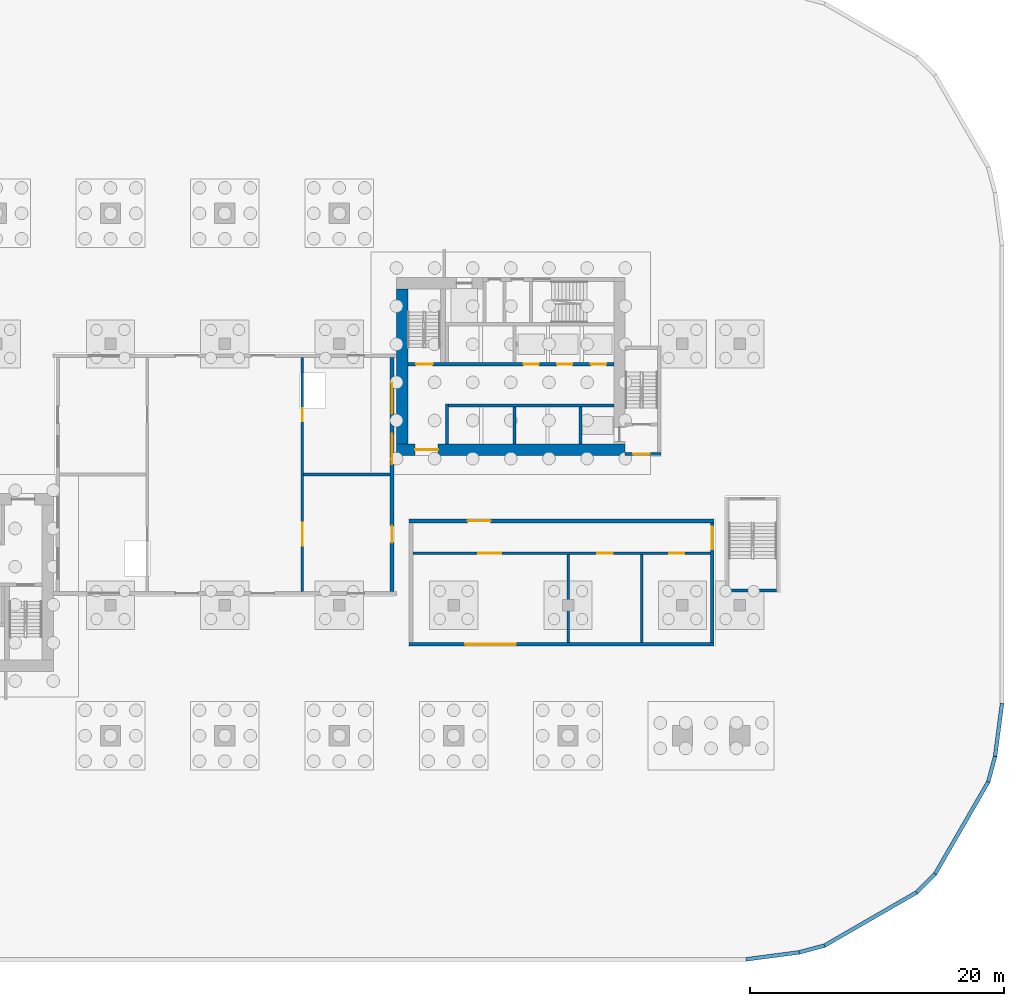
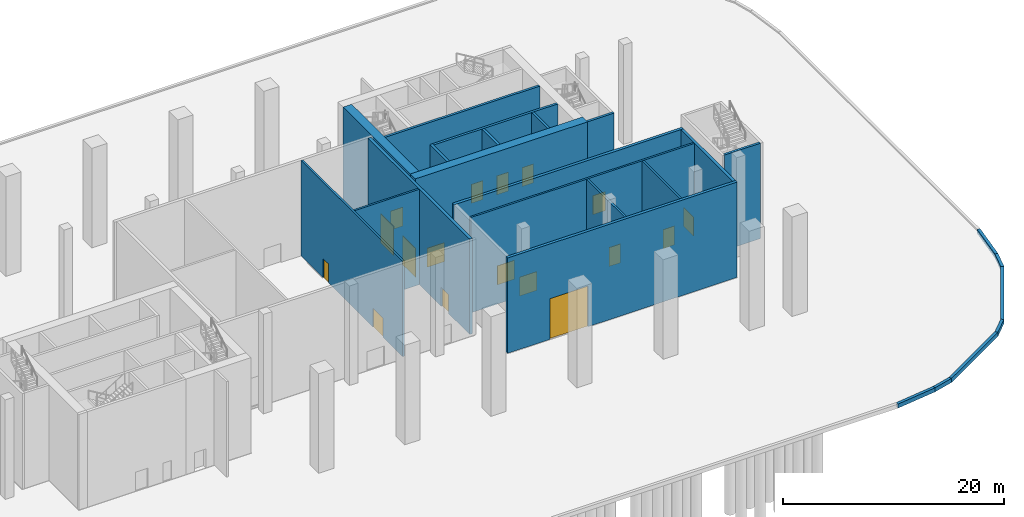
# One storey, part 7 of 26: 25 walls, 15 doors, 2 windows, 17 openings.
"""IFC4 building model written with IfcOpenShell, lengths in metres."""

import ifcopenshell
import ifcopenshell.guid

model = None  # the IFC model being written
_history = None  # IfcOwnerHistory: only IFC2X3 demands one
_inside = {}  # id of a spatial element -> (the spatial element, [elements in it])
_under = {}  # id of a project, library or spatial element -> (it, [spatial elements below it])
_declared = {}  # id of a project -> (the project, [libraries it declares])
_typed = {}  # id of a type object -> (the type object, [elements of that type])
_made_of = {}  # id of a material, layer set ... -> (it, [elements and type objects made of it])


def new_model(schema):
    """Start an empty IFC model of exactly this schema.

    Asked for "IFC4X3", IfcOpenShell would pick the latest addendum, in which some entities
    have other attributes; the version numbers below select the first issue.
    IFC2X3 requires an IfcOwnerHistory on every rooted entity: one is made here for all.
    """
    global model, _history
    if schema == "IFC4X3":
        model = ifcopenshell.file(schema_version=(4, 3, 0, 0))
    else:
        model = ifcopenshell.file(schema=schema)
    _inside.clear()
    _under.clear()
    _declared.clear()
    _typed.clear()
    _made_of.clear()
    _history = None
    if model.schema == "IFC2X3":
        org = make("IfcOrganization", Name="unknown")
        user = make(
            "IfcPersonAndOrganization",
            ThePerson=make("IfcPerson", FamilyName="unknown"),
            TheOrganization=org,
        )
        app = make(
            "IfcApplication",
            ApplicationDeveloper=org,
            Version="unknown",
            ApplicationFullName="unknown",
            ApplicationIdentifier="unknown",
        )
        _history = make(
            "IfcOwnerHistory",
            OwningUser=user,
            OwningApplication=app,
            ChangeAction="ADDED",
            CreationDate=0,
        )
    return model


def make(cls, **values):
    """One entity of the class cls with the attributes given. An attribute that is None is left unset."""
    return model.create_entity(
        cls, **{name: value for name, value in values.items() if value is not None}
    )


def rooted(cls, **values):
    """An entity with a GlobalId (a new one), such as an element, a storey or a relation."""
    return make(cls, GlobalId=ifcopenshell.guid.new(), OwnerHistory=_history, **values)


def si_unit(unit_type, name, prefix=None):
    """IfcSIUnit, for example si_unit("LENGTHUNIT", "METRE", prefix="MILLI")."""
    return make("IfcSIUnit", UnitType=unit_type, Prefix=prefix, Name=name)


def assignment(units):
    """IfcUnitAssignment: the units of a project."""
    return None if units is None else make("IfcUnitAssignment", Units=units)


def point(xyz):
    """IfcCartesianPoint."""
    return None if xyz is None else make("IfcCartesianPoint", Coordinates=xyz)


def direction(xyz):
    """IfcDirection."""
    return None if xyz is None else make("IfcDirection", DirectionRatios=xyz)


def frame(location, z_axis=None, x_axis=None):
    """IfcAxis2Placement3D, a coordinate frame: its origin and axes. An axis left out is left unset."""
    return make(
        "IfcAxis2Placement3D",
        Location=point(location),
        Axis=direction(z_axis),
        RefDirection=direction(x_axis),
    )


def frame_2d(location, x_axis=None):
    """IfcAxis2Placement2D, a coordinate frame in the plane: its origin and x axis."""
    return make(
        "IfcAxis2Placement2D", Location=point(location), RefDirection=direction(x_axis)
    )


def origin():
    """The frame at (0, 0, 0) with its axes left unset."""
    return frame((0.0, 0.0, 0.0))


def place(relative_to, where):
    """IfcLocalPlacement: puts the frame where relative to a parent placement (None: the world)."""
    return make(
        "IfcLocalPlacement", PlacementRelTo=relative_to, RelativePlacement=where
    )


def context(
    kind, dimensions, precision=None, world=None, true_north=None, identifier=None
):
    """IfcGeometricRepresentationContext, for example the 3D "Model" context."""
    return make(
        "IfcGeometricRepresentationContext",
        ContextIdentifier=identifier,
        ContextType=kind,
        CoordinateSpaceDimension=dimensions,
        Precision=precision,
        WorldCoordinateSystem=world,
        TrueNorth=true_north,
    )


def subcontext(parent, identifier, kind, view, scale=None):
    """IfcGeometricRepresentationSubContext, for example "Body" below "Model"."""
    return make(
        "IfcGeometricRepresentationSubContext",
        ContextIdentifier=identifier,
        ContextType=kind,
        ParentContext=parent,
        TargetScale=scale,
        TargetView=view,
    )


def project(units=None, contexts=None):
    """IfcProject with its units and contexts."""
    return rooted(
        "IfcProject",
        Name="project",
        RepresentationContexts=contexts,
        UnitsInContext=assignment(units),
    )


def spatial(cls, under=None, at=None, **own):
    """A site, building, storey or space (cls), placed at a placement, below another one or the project."""
    s = rooted(cls, ObjectPlacement=at, **own)
    if under is not None:
        _under.setdefault(under.id(), (under, []))[1].append(s)
    return s


def polyline(points):
    """IfcPolyline through the points."""
    return make("IfcPolyline", Points=[point(p) for p in points])


def profile(cls, at=None, kind="AREA", **sizes):
    """A parametric profile (cls). Its sizes go by their IFC names, for example OverallWidth=200.0."""
    return make(cls, ProfileType=kind, Position=at, **sizes)


def rectangle(**sizes):
    """IfcRectangleProfileDef."""
    return profile("IfcRectangleProfileDef", **sizes)


def outline(outer, holes=None, kind="AREA"):
    """IfcArbitraryClosedProfileDef: a profile drawn as a closed curve; with holes, ...WithVoids."""
    if holes is None:
        return make("IfcArbitraryClosedProfileDef", ProfileType=kind, OuterCurve=outer)
    return make(
        "IfcArbitraryProfileDefWithVoids",
        ProfileType=kind,
        OuterCurve=outer,
        InnerCurves=holes,
    )


def extrude(swept, where, along, depth):
    """IfcExtrudedAreaSolid: the profile swept, set in the frame where, extruded along a direction by depth."""
    return make(
        "IfcExtrudedAreaSolid",
        SweptArea=swept,
        Position=where,
        ExtrudedDirection=direction(along),
        Depth=depth,
    )


def shape(context_of_items, identifier, shape_type, items):
    """IfcShapeRepresentation: the items that make up one representation, for example the "Body"."""
    return make(
        "IfcShapeRepresentation",
        ContextOfItems=context_of_items,
        RepresentationIdentifier=identifier,
        RepresentationType=shape_type,
        Items=items,
    )


def material(Name=None, Category=None):
    """IfcMaterial."""
    return make("IfcMaterial", Name=Name, Category=Category)


def layer(
    of_material, thickness, ventilated=None, Name=None, Category=None, Priority=None
):
    """IfcMaterialLayer: one layer of a wall or slab, of a material (None: an air gap)."""
    return make(
        "IfcMaterialLayer",
        Material=of_material,
        LayerThickness=thickness,
        IsVentilated=ventilated,
        Name=Name,
        Category=Category,
        Priority=Priority,
    )


def layer_set(layers, Name=None):
    """IfcMaterialLayerSet."""
    return make("IfcMaterialLayerSet", MaterialLayers=layers, LayerSetName=Name)


def made_of(thing, what):
    """Note that an element or type object is made of a material, layer set ...; save() writes the relation."""
    if what is not None:
        _made_of.setdefault(what.id(), (what, []))[1].append(thing)
    return thing


def type_object(cls, material=None, **own):
    """A type object (cls), such as IfcWallType, which elements share."""
    return made_of(rooted(cls, **own), material)


def element(
    cls,
    number,
    at=None,
    inside=None,
    cuts=None,
    type_object=None,
    material=None,
    context=None,
    identifier="Body",
    shape_type=None,
    held_by="IfcProductDefinitionShape",
    body=None,
    shapes=None,
    **own,
):
    """One element of the class cls, such as IfcWall. Its Tag is "e" and its number.

    at: its placement. inside: the storey or other place that contains it. cuts: it is an
    opening in that element (IfcRelVoidsElement). A single representation is given by context,
    identifier, shape_type and body (its items); several are given by shapes. held_by: the class
    of the entity that holds the representations. save() writes the other relations.
    """
    e = rooted(cls, Tag="e%d" % number, ObjectPlacement=at, **own)
    if body is not None:
        shapes = [shape(context, identifier, shape_type, body)]
    if shapes is not None:
        e.Representation = make(held_by, Representations=shapes)
    if inside is not None:
        _inside.setdefault(inside.id(), (inside, []))[1].append(e)
    if cuts is not None:
        rooted(
            "IfcRelVoidsElement", RelatingBuildingElement=cuts, RelatedOpeningElement=e
        )
    if type_object is not None:
        _typed.setdefault(type_object.id(), (type_object, []))[1].append(e)
    return made_of(e, material)


def fill(opening, filler):
    """IfcRelFillsElement: the door or window that sits in an opening."""
    return rooted(
        "IfcRelFillsElement",
        RelatingOpeningElement=opening,
        RelatedBuildingElement=filler,
    )


def aggregate(whole, parts):
    """IfcRelAggregates: a whole, such as a stair, and the parts it consists of."""
    return rooted("IfcRelAggregates", RelatingObject=whole, RelatedObjects=parts)


def save(model, path):
    """Write the relations noted so far, then the file.

    IfcRelAggregates (storeys below a building ...), IfcRelContainedInSpatialStructure (elements
    in a storey), IfcRelDefinesByType, IfcRelAssociatesMaterial and IfcRelDeclares: one each for
    every whole, place, type object, material and project.
    """
    for whole, parts in _under.values():
        aggregate(whole, parts)
    for where, things in _inside.values():
        rooted(
            "IfcRelContainedInSpatialStructure",
            RelatedElements=things,
            RelatingStructure=where,
        )
    for kind, things in _typed.values():
        rooted("IfcRelDefinesByType", RelatedObjects=things, RelatingType=kind)
    for what, things in _made_of.values():
        rooted("IfcRelAssociatesMaterial", RelatedObjects=things, RelatingMaterial=what)
    for by, libraries in _declared.values():
        rooted("IfcRelDeclares", RelatingContext=by, RelatedDefinitions=libraries)
    model.write(path)


model = new_model("IFC4")

# Units and contexts
model_context = context("Model", 3, precision=1e-05, world=origin(), true_north=direction((0.0, 1.0)))
body_context = subcontext(model_context, "Body", "Model", "MODEL_VIEW")
ifc_project = project(units=[si_unit("LENGTHUNIT", "METRE"), si_unit("AREAUNIT", "SQUARE_METRE"), si_unit("VOLUMEUNIT", "CUBIC_METRE"), si_unit("PLANEANGLEUNIT", "RADIAN"), si_unit("MASSUNIT", "GRAM", prefix="KILO")], contexts=[model_context])

# Site, building, storey
site_placement = place(None, origin())
site = spatial("IfcSite", under=ifc_project, at=site_placement, CompositionType="ELEMENT")
building_placement = place(site_placement, origin())
building = spatial("IfcBuilding", under=site, at=building_placement, Name="Kajstack Hotel Tower", CompositionType="ELEMENT")
storey_placement = place(building_placement, origin())
storey = spatial("IfcBuildingStorey", under=building, at=storey_placement, Name="L00", CompositionType="ELEMENT", Elevation=0.0)

# Wall, opening, door
ifc_material_1 = material(Name="Concrete C60/75", Category="concrete")
ifc_layer_1 = layer(ifc_material_1, 0.89990234375)
ifc_layer_set_1 = layer_set([ifc_layer_1], Name="Core wall 900")
wall_type_1 = type_object("IfcWallType", Name="Core wall 900", PredefinedType="SHEAR", material=ifc_layer_set_1)
wall_1_placement = place(storey_placement, frame((13.5, 1.949951171875, 0.0), z_axis=(0.0, 0.0, 1.0), x_axis=(1.0, 0.0, 0.0)))
wall_1 = element("IfcWall", 1, at=wall_1_placement, inside=storey, type_object=wall_type_1, Name="Core wall E RN", PredefinedType="SHEAR", context=body_context, shape_type="SweptSolid", body=[
    extrude(rectangle(XDim=18.0, YDim=0.89990234375, at=frame_2d((9.0, 0.0))), origin(), (0.0, 0.0, 1.0), 10.550048828125),
])
opening_1_placement = place(wall_1_placement, frame((1.47509765625, 0.0, 0.0)))
opening_1 = element("IfcOpeningElement", 2, at=opening_1_placement, cuts=wall_1, Name="Opening 00E06", PredefinedType="OPENING", context=body_context, shape_type="SweptSolid", body=[
    extrude(rectangle(XDim=1.800048828125, YDim=2.10009765625, at=frame_2d((0.89990234375, 1.050048828125))), frame((0.0, 0.4599609375, 0.0), z_axis=(0.0, -1.0, 0.0), x_axis=(1.0, 0.0, 0.0)), (0.0, 0.0, 1.0), 0.919921875),
])
ifc_material_2 = material(Name="Glazed steel frame, fire-rated glass", Category="steel")
door_type_1 = type_object("IfcDoorType", Name="Lobby double door 1800", OperationType="DOUBLE_DOOR_DOUBLE_SWING", PredefinedType="DOOR", material=ifc_material_2)
door_1_placement = place(opening_1_placement, origin())
door_1 = element("IfcDoor", 3, at=door_1_placement, inside=storey, type_object=door_type_1, Name="Door 00E06", OperationType="DOUBLE_DOOR_DOUBLE_SWING", OverallHeight=2.10009765625, OverallWidth=1.800048828125, PredefinedType="DOOR", context=body_context, shape_type="SweptSolid", body=[
    extrude(rectangle(XDim=1.800048828125, YDim=2.10009765625, at=frame_2d((0.89990234375, 1.050048828125))), frame((0.0, 0.02490234375, 0.0), z_axis=(0.0, -1.0, 0.0), x_axis=(1.0, 0.0, 0.0)), (0.0, 0.0, 1.0), 0.050048828125),
])
fill(opening_1, door_1)

# Wall
wall_2_placement = place(storey_placement, frame((13.949951171875, 2.39990234375, 0.0), z_axis=(0.0, 0.0, 1.0), x_axis=(0.0, 1.0, 0.0)))
element("IfcWall", 4, at=wall_2_placement, inside=storey, type_object=wall_type_1, Name="Core wall E RE", PredefinedType="SHEAR", context=body_context, shape_type="SweptSolid", body=[
    extrude(rectangle(XDim=12.2001953125, YDim=0.89990234375, at=frame_2d((6.10009765625, 0.0))), origin(), (0.0, 0.0, 1.0), 10.550048828125),
])

# Wall, openings, door, windows
ifc_material_3 = material(Name="Terracotta-faced masonry", Category="masonry")
ifc_layer_2 = layer(ifc_material_3, 0.300048828125)
ifc_layer_set_2 = layer_set([ifc_layer_2], Name="Ground pavilion wall 300")
wall_type_2 = type_object("IfcWallType", Name="Ground pavilion wall 300", PredefinedType="SOLIDWALL", material=ifc_layer_set_2)
wall_3_placement = place(storey_placement, frame((13.14990234375, -9.199951171875, 0.0), z_axis=(0.0, 0.0, 1.0), x_axis=(0.0, 1.0, 0.0)))
wall_3 = element("IfcWall", 5, at=wall_3_placement, inside=storey, type_object=wall_type_2, Name="External wall APE", PredefinedType="SOLIDWALL", context=body_context, shape_type="SweptSolid", body=[
    extrude(rectangle(XDim=18.39990234375, YDim=0.300048828125, at=frame_2d((9.199951171875, 0.0))), origin(), (0.0, 0.0, 1.0), 10.550048828125),
])
opening_2_placement = place(wall_3_placement, frame((3.85009765625, 0.0, 0.0)))
opening_2 = element("IfcOpeningElement", 6, at=opening_2_placement, cuts=wall_3, Name="Opening 00P08", PredefinedType="OPENING", context=body_context, shape_type="SweptSolid", body=[
    extrude(rectangle(XDim=1.300048828125, YDim=2.10009765625, at=frame_2d((0.64990234375, 1.050048828125))), frame((0.0, 0.159912109375, 0.0), z_axis=(0.0, -1.0, 0.0), x_axis=(1.0, 0.0, 0.0)), (0.0, 0.0, 1.0), 0.320068359375),
])
opening_3_placement = place(wall_3_placement, frame((14.0, 0.0, 0.199951171875)))
opening_3 = element("IfcOpeningElement", 7, at=opening_3_placement, cuts=wall_3, Name="Opening W00APW6", PredefinedType="OPENING", context=body_context, shape_type="SweptSolid", body=[
    extrude(rectangle(XDim=2.39990234375, YDim=3.199951171875, at=frame_2d((1.199951171875, 1.60009765625))), frame((0.0, 0.159912109375, 0.0), z_axis=(0.0, -1.0, 0.0), x_axis=(1.0, 0.0, 0.0)), (0.0, 0.0, 1.0), 0.320068359375),
])
opening_4_placement = place(wall_3_placement, frame((10.0, 0.0, 0.199951171875)))
opening_4 = element("IfcOpeningElement", 8, at=opening_4_placement, cuts=wall_3, Name="Opening W00APW7", PredefinedType="OPENING", context=body_context, shape_type="SweptSolid", body=[
    extrude(rectangle(XDim=2.39990234375, YDim=3.199951171875, at=frame_2d((1.199951171875, 1.60009765625))), frame((0.0, 0.159912109375, 0.0), z_axis=(0.0, -1.0, 0.0), x_axis=(1.0, 0.0, 0.0)), (0.0, 0.0, 1.0), 0.320068359375),
])
ifc_material_4 = material(Name="Steel leaf, fire-rated", Category="steel")
door_type_2 = type_object("IfcDoorType", Name="Public exit door 1300", OperationType="SINGLE_SWING_LEFT", PredefinedType="DOOR", material=ifc_material_4)
door_2_placement = place(opening_2_placement, origin())
door_2 = element("IfcDoor", 9, at=door_2_placement, inside=storey, type_object=door_type_2, Name="Door 00P08", OperationType="SINGLE_SWING_RIGHT", OverallHeight=2.10009765625, OverallWidth=1.300048828125, PredefinedType="DOOR", context=body_context, shape_type="SweptSolid", body=[
    extrude(rectangle(XDim=1.300048828125, YDim=2.10009765625, at=frame_2d((0.64990234375, 1.050048828125))), frame((0.0, 0.02490234375, 0.0), z_axis=(0.0, -1.0, 0.0), x_axis=(1.0, 0.0, 0.0)), (0.0, 0.0, 1.0), 0.050048828125),
])
fill(opening_2, door_2)
ifc_material_5 = material(Name="Glass, aluminium frame", Category="aluminium")
window_type = type_object("IfcWindowType", Name="Storefront window 2400", PartitioningType="SINGLE_PANEL", PredefinedType="WINDOW", material=ifc_material_5)
window_1_placement = place(opening_3_placement, origin())
window_1 = element("IfcWindow", 10, at=window_1_placement, inside=storey, type_object=window_type, Name="Storefront window", OverallHeight=3.199951171875, OverallWidth=2.39990234375, PartitioningType="SINGLE_PANEL", PredefinedType="WINDOW", context=body_context, shape_type="SweptSolid", body=[
    extrude(rectangle(XDim=2.39990234375, YDim=3.199951171875, at=frame_2d((1.199951171875, 1.60009765625))), frame((0.0, 0.030029296875, 0.0), z_axis=(0.0, -1.0, 0.0), x_axis=(1.0, 0.0, 0.0)), (0.0, 0.0, 1.0), 0.06005859375),
])
fill(opening_3, window_1)
window_2_placement = place(opening_4_placement, origin())
window_2 = element("IfcWindow", 11, at=window_2_placement, inside=storey, type_object=window_type, Name="Storefront window", OverallHeight=3.199951171875, OverallWidth=2.39990234375, PartitioningType="SINGLE_PANEL", PredefinedType="WINDOW", context=body_context, shape_type="SweptSolid", body=[
    extrude(rectangle(XDim=2.39990234375, YDim=3.199951171875, at=frame_2d((1.199951171875, 1.60009765625))), frame((0.0, 0.030029296875, 0.0), z_axis=(0.0, -1.0, 0.0), x_axis=(1.0, 0.0, 0.0)), (0.0, 0.0, 1.0), 0.06005859375),
])
fill(opening_4, window_2)

# Wall, opening, door
wall_4_placement = place(storey_placement, frame((14.5, -3.64990234375, 0.0), z_axis=(0.0, 0.0, 1.0), x_axis=(1.0, 0.0, 0.0)))
wall_4 = element("IfcWall", 12, at=wall_4_placement, inside=storey, type_object=wall_type_2, Name="External wall SPN", PredefinedType="SOLIDWALL", context=body_context, shape_type="SweptSolid", body=[
    extrude(rectangle(XDim=24.0, YDim=0.300048828125, at=frame_2d((12.0, 0.0))), origin(), (0.0, 0.0, 1.0), 10.550048828125),
])
opening_5_placement = place(wall_4_placement, frame((4.60009765625, 0.0, 0.0)))
opening_5 = element("IfcOpeningElement", 13, at=opening_5_placement, cuts=wall_4, Name="Opening 00P13", PredefinedType="OPENING", context=body_context, shape_type="SweptSolid", body=[
    extrude(rectangle(XDim=1.800048828125, YDim=2.10009765625, at=frame_2d((0.89990234375, 1.050048828125))), frame((0.0, 0.159912109375, 0.0), z_axis=(0.0, -1.0, 0.0), x_axis=(1.0, 0.0, 0.0)), (0.0, 0.0, 1.0), 0.320068359375),
])
ifc_material_6 = material(Name="Glazed timber frame, fire-rated glass", Category="wood")
door_type_3 = type_object("IfcDoorType", Name="Public double door 1800", OperationType="DOUBLE_DOOR_DOUBLE_SWING", PredefinedType="DOOR", material=ifc_material_6)
door_3_placement = place(opening_5_placement, origin())
door_3 = element("IfcDoor", 14, at=door_3_placement, inside=storey, type_object=door_type_3, Name="Door 00P13", OperationType="DOUBLE_DOOR_DOUBLE_SWING", OverallHeight=2.10009765625, OverallWidth=1.800048828125, PredefinedType="DOOR", context=body_context, shape_type="SweptSolid", body=[
    extrude(rectangle(XDim=1.800048828125, YDim=2.10009765625, at=frame_2d((0.89990234375, 1.050048828125))), frame((0.0, 0.02490234375, 0.0), z_axis=(0.0, -1.0, 0.0), x_axis=(1.0, 0.0, 0.0)), (0.0, 0.0, 1.0), 0.050048828125),
])
fill(opening_5, door_3)

wall_5_placement = place(storey_placement, frame((14.5, -13.35009765625, 0.0), z_axis=(0.0, 0.0, 1.0), x_axis=(1.0, 0.0, 0.0)))
wall_5 = element("IfcWall", 15, at=wall_5_placement, inside=storey, type_object=wall_type_2, Name="External wall SPS", PredefinedType="SOLIDWALL", context=body_context, shape_type="SweptSolid", body=[
    extrude(rectangle(XDim=24.0, YDim=0.300048828125, at=frame_2d((12.0, 0.0))), origin(), (0.0, 0.0, 1.0), 10.550048828125),
])
opening_6_placement = place(wall_5_placement, frame((4.39990234375, 0.0, 0.0)))
opening_6 = element("IfcOpeningElement", 16, at=opening_6_placement, cuts=wall_5, Name="Opening 00P18", PredefinedType="OPENING", context=body_context, shape_type="SweptSolid", body=[
    extrude(rectangle(XDim=4.0, YDim=4.5, at=frame_2d((2.0, 2.25))), frame((0.0, 0.159912109375, 0.0), z_axis=(0.0, -1.0, 0.0), x_axis=(1.0, 0.0, 0.0)), (0.0, 0.0, 1.0), 0.320068359375),
])
ifc_material_7 = material(Name="Insulated steel roller shutter", Category="steel")
door_type_4 = type_object("IfcDoorType", Name="Vehicle door 4000", OperationType="ROLLINGUP", PredefinedType="DOOR", material=ifc_material_7)
door_4_placement = place(opening_6_placement, origin())
door_4 = element("IfcDoor", 17, at=door_4_placement, inside=storey, type_object=door_type_4, Name="Vehicle door 00P18", OperationType="SINGLE_SWING_LEFT", OverallHeight=4.5, OverallWidth=4.0, PredefinedType="DOOR", context=body_context, shape_type="SweptSolid", body=[
    extrude(rectangle(XDim=4.0, YDim=4.5, at=frame_2d((2.0, 2.25))), frame((0.0, 0.02490234375, 0.0), z_axis=(0.0, -1.0, 0.0), x_axis=(1.0, 0.0, 0.0)), (0.0, 0.0, 1.0), 0.050048828125),
])
fill(opening_6, door_4)

wall_6_placement = place(storey_placement, frame((38.35009765625, -13.199951171875, 0.0), z_axis=(0.0, 0.0, 1.0), x_axis=(0.0, 1.0, 0.0)))
wall_6 = element("IfcWall", 18, at=wall_6_placement, inside=storey, type_object=wall_type_2, Name="External wall SPE", PredefinedType="SOLIDWALL", context=body_context, shape_type="SweptSolid", body=[
    extrude(rectangle(XDim=9.39990234375, YDim=0.300048828125, at=frame_2d((4.699951171875, 0.0))), origin(), (0.0, 0.0, 1.0), 10.550048828125),
])
opening_7_placement = place(wall_6_placement, frame((7.300048828125, 0.0, 0.0)))
opening_7 = element("IfcOpeningElement", 19, at=opening_7_placement, cuts=wall_6, Name="Opening 00P14", PredefinedType="OPENING", context=body_context, shape_type="SweptSolid", body=[
    extrude(rectangle(XDim=1.800048828125, YDim=2.10009765625, at=frame_2d((0.89990234375, 1.050048828125))), frame((0.0, 0.159912109375, 0.0), z_axis=(0.0, -1.0, 0.0), x_axis=(1.0, 0.0, 0.0)), (0.0, 0.0, 1.0), 0.320068359375),
])
door_5_placement = place(opening_7_placement, origin())
door_5 = element("IfcDoor", 20, at=door_5_placement, inside=storey, type_object=door_type_3, Name="Door 00P14", OperationType="DOUBLE_DOOR_DOUBLE_SWING", OverallHeight=2.10009765625, OverallWidth=1.800048828125, PredefinedType="DOOR", context=body_context, shape_type="SweptSolid", body=[
    extrude(rectangle(XDim=1.800048828125, YDim=2.10009765625, at=frame_2d((0.89990234375, 1.050048828125))), frame((0.0, 0.02490234375, 0.0), z_axis=(0.0, -1.0, 0.0), x_axis=(1.0, 0.0, 0.0)), (0.0, 0.0, 1.0), 0.050048828125),
])
fill(opening_7, door_5)

# Walls
ifc_material_8 = material(Name="Concrete C50/60", Category="concrete")
ifc_layer_3 = layer(ifc_material_8, 0.300048828125)
ifc_layer_set_3 = layer_set([ifc_layer_3], Name="Hoistway divider wall 300")
wall_type_3 = type_object("IfcWallType", Name="Hoistway divider wall 300", PredefinedType="SHEAR", material=ifc_layer_set_3)
wall_7_placement = place(storey_placement, frame((22.77490234375, 2.39990234375, 0.0), z_axis=(0.0, 0.0, 1.0), x_axis=(0.0, 1.0, 0.0)))
element("IfcWall", 21, at=wall_7_placement, inside=storey, type_object=wall_type_3, Name="Core wall E AP2", PredefinedType="SHEAR", context=body_context, shape_type="SweptSolid", body=[
    extrude(rectangle(XDim=2.900146484375, YDim=0.25, at=frame_2d((1.4501953125, 0.0))), origin(), (0.0, 0.0, 1.0), 10.550048828125),
])
ifc_material_9 = material(Name="Concrete C30/37", Category="concrete")
ifc_layer_4 = layer(ifc_material_9, 0.300048828125)
ifc_layer_set_4 = layer_set([ifc_layer_4], Name="PLINTH-KERB")
wall_type_4 = type_object("IfcWallType", Name="PLINTH-KERB", PredefinedType="SOLIDWALL", material=ifc_layer_set_4)
wall_8_placement = place(storey_placement, frame((0.0, 0.0, -0.300048828125)))
element("IfcWall", 22, at=wall_8_placement, inside=storey, type_object=wall_type_4, Name="Plaza kerb 08", PredefinedType="SOLIDWALL", context=body_context, shape_type="SweptSolid", body=[
    extrude(outline(polyline([(40.990234375, -38.0), (45.150634765625, -37.4521484375), (45.209228515625, -37.7470703125), (41.009765625, -38.300048828125), (40.990234375, -38.0)])), origin(), (0.0, 0.0, 1.0), 0.449951171875),
])
wall_9_placement = place(storey_placement, frame((0.0, 0.0, -0.300048828125)))
element("IfcWall", 23, at=wall_9_placement, inside=storey, type_object=wall_type_4, Name="Plaza kerb 09", PredefinedType="SOLIDWALL", context=body_context, shape_type="SweptSolid", body=[
    extrude(outline(polyline([(45.150634765625, -37.4521484375), (47.1220703125, -36.924072265625), (47.23779296875, -37.20361328125), (45.209228515625, -37.7470703125), (45.150634765625, -37.4521484375)])), origin(), (0.0, 0.0, 1.0), 0.449951171875),
])
wall_10_placement = place(storey_placement, frame((0.0, 0.0, -0.300048828125)))
element("IfcWall", 24, at=wall_10_placement, inside=storey, type_object=wall_type_4, Name="Plaza kerb 10", PredefinedType="SOLIDWALL", context=body_context, shape_type="SweptSolid", body=[
    extrude(outline(polyline([(47.1220703125, -36.924072265625), (54.32763671875, -32.763916015625), (54.511962890625, -33.00390625), (47.23779296875, -37.20361328125), (47.1220703125, -36.924072265625)])), origin(), (0.0, 0.0, 1.0), 0.449951171875),
])
wall_11_placement = place(storey_placement, frame((0.0, 0.0, -0.300048828125)))
element("IfcWall", 25, at=wall_11_placement, inside=storey, type_object=wall_type_4, Name="Plaza kerb 11", PredefinedType="SOLIDWALL", context=body_context, shape_type="SweptSolid", body=[
    extrude(outline(polyline([(54.32763671875, -32.763916015625), (55.763916015625, -31.32763671875), (56.00390625, -31.511962890625), (54.511962890625, -33.00390625), (54.32763671875, -32.763916015625)])), origin(), (0.0, 0.0, 1.0), 0.449951171875),
])
wall_12_placement = place(storey_placement, frame((0.0, 0.0, -0.300048828125)))
element("IfcWall", 26, at=wall_12_placement, inside=storey, type_object=wall_type_4, Name="Plaza kerb 12", PredefinedType="SOLIDWALL", context=body_context, shape_type="SweptSolid", body=[
    extrude(outline(polyline([(55.763916015625, -31.32763671875), (59.924072265625, -24.1220703125), (60.20361328125, -24.23779296875), (56.00390625, -31.511962890625), (55.763916015625, -31.32763671875)])), origin(), (0.0, 0.0, 1.0), 0.449951171875),
])
wall_13_placement = place(storey_placement, frame((0.0, 0.0, -0.300048828125)))
element("IfcWall", 27, at=wall_13_placement, inside=storey, type_object=wall_type_4, Name="Plaza kerb 13", PredefinedType="SOLIDWALL", context=body_context, shape_type="SweptSolid", body=[
    extrude(outline(polyline([(59.924072265625, -24.1220703125), (60.4521484375, -22.150634765625), (60.7470703125, -22.209228515625), (60.20361328125, -24.23779296875), (59.924072265625, -24.1220703125)])), origin(), (0.0, 0.0, 1.0), 0.449951171875),
])
wall_14_placement = place(storey_placement, frame((0.0, 0.0, -0.300048828125)))
element("IfcWall", 28, at=wall_14_placement, inside=storey, type_object=wall_type_4, Name="Plaza kerb 14", PredefinedType="SOLIDWALL", context=body_context, shape_type="SweptSolid", body=[
    extrude(outline(polyline([(60.4521484375, -22.150634765625), (61.0, -17.990234375), (61.300048828125, -18.009765625), (60.7470703125, -22.209228515625), (60.4521484375, -22.150634765625)])), origin(), (0.0, 0.0, 1.0), 0.449951171875),
])

# Wall, openings, doors
ifc_material_10 = material(Name="Gypsum board on steel studs, mineral wool", Category="steel")
ifc_layer_5 = layer(ifc_material_10, 0.199951171875)
ifc_layer_set_5 = layer_set([ifc_layer_5], Name="Public partition 200")
wall_type_5 = type_object("IfcWallType", Name="Public partition 200", PredefinedType="PARTITIONING", material=ifc_layer_set_5)
wall_15_placement = place(storey_placement, frame((6.10009765625, -9.199951171875, 0.0), z_axis=(0.0, 0.0, 1.0), x_axis=(0.0, 1.0, 0.0)))
wall_15 = element("IfcWall", 29, at=wall_15_placement, inside=storey, type_object=wall_type_5, Name="Partition APX1", PredefinedType="PARTITIONING", context=body_context, shape_type="SweptSolid", body=[
    extrude(rectangle(XDim=18.39990234375, YDim=0.199951171875, at=frame_2d((9.199951171875, 0.0))), origin(), (0.0, 0.0, 1.0), 10.550048828125),
])
opening_8_placement = place(wall_15_placement, frame((13.39990234375, 0.0, 0.0)))
opening_8 = element("IfcOpeningElement", 30, at=opening_8_placement, cuts=wall_15, Name="Opening 00P11", PredefinedType="OPENING", context=body_context, shape_type="SweptSolid", body=[
    extrude(rectangle(XDim=1.0, YDim=2.10009765625, at=frame_2d((0.5, 1.050048828125))), frame((0.0, 0.10986328125, 0.0), z_axis=(0.0, -1.0, 0.0), x_axis=(1.0, 0.0, 0.0)), (0.0, 0.0, 1.0), 0.219970703125),
])
opening_9_placement = place(wall_15_placement, frame((3.60009765625, 0.0, 0.0)))
opening_9 = element("IfcOpeningElement", 31, at=opening_9_placement, cuts=wall_15, Name="Opening 00P12", PredefinedType="OPENING", context=body_context, shape_type="SweptSolid", body=[
    extrude(rectangle(XDim=1.800048828125, YDim=2.10009765625, at=frame_2d((0.89990234375, 1.050048828125))), frame((0.0, 0.10986328125, 0.0), z_axis=(0.0, -1.0, 0.0), x_axis=(1.0, 0.0, 0.0)), (0.0, 0.0, 1.0), 0.219970703125),
])
door_6_placement = place(opening_9_placement, origin())
door_6 = element("IfcDoor", 32, at=door_6_placement, inside=storey, type_object=door_type_3, Name="Door 00P12", OperationType="DOUBLE_DOOR_DOUBLE_SWING", OverallHeight=2.10009765625, OverallWidth=1.800048828125, PredefinedType="DOOR", context=body_context, shape_type="SweptSolid", body=[
    extrude(rectangle(XDim=1.800048828125, YDim=2.10009765625, at=frame_2d((0.89990234375, 1.050048828125))), frame((0.0, 0.02490234375, 0.0), z_axis=(0.0, -1.0, 0.0), x_axis=(1.0, 0.0, 0.0)), (0.0, 0.0, 1.0), 0.050048828125),
])
fill(opening_9, door_6)
ifc_material_11 = material(Name="Timber leaf", Category="wood")
door_type_5 = type_object("IfcDoorType", Name="Public room door 1000", OperationType="SINGLE_SWING_LEFT", PredefinedType="DOOR", material=ifc_material_11)
door_7_placement = place(opening_8_placement, origin())
door_7 = element("IfcDoor", 33, at=door_7_placement, inside=storey, type_object=door_type_5, Name="Door 00P11", OperationType="SINGLE_SWING_RIGHT", OverallHeight=2.10009765625, OverallWidth=1.0, PredefinedType="DOOR", context=body_context, shape_type="SweptSolid", body=[
    extrude(rectangle(XDim=1.0, YDim=2.10009765625, at=frame_2d((0.5, 1.050048828125))), frame((0.0, 0.02490234375, 0.0), z_axis=(0.0, -1.0, 0.0), x_axis=(1.0, 0.0, 0.0)), (0.0, 0.0, 1.0), 0.050048828125),
])
fill(opening_8, door_7)

# Wall
wall_16_placement = place(storey_placement, frame((6.199951171875, 0.0, 0.0), z_axis=(0.0, 0.0, 1.0), x_axis=(1.0, 0.0, 0.0)))
element("IfcWall", 34, at=wall_16_placement, inside=storey, type_object=wall_type_5, Name="Partition APH1", PredefinedType="PARTITIONING", context=body_context, shape_type="SweptSolid", body=[
    extrude(rectangle(XDim=6.800048828125, YDim=0.199951171875, at=frame_2d((3.39990234375, 0.0))), origin(), (0.0, 0.0, 1.0), 10.550048828125),
])

# Wall, openings, doors
wall_17_placement = place(storey_placement, frame((14.800048828125, -6.199951171875, 0.0), z_axis=(0.0, 0.0, 1.0), x_axis=(1.0, 0.0, 0.0)))
wall_17 = element("IfcWall", 35, at=wall_17_placement, inside=storey, type_object=wall_type_5, Name="Partition SPC", PredefinedType="PARTITIONING", context=body_context, shape_type="SweptSolid", body=[
    extrude(rectangle(XDim=23.39990234375, YDim=0.199951171875, at=frame_2d((11.699951171875, 0.0))), origin(), (0.0, 0.0, 1.0), 10.550048828125),
])
opening_10_placement = place(wall_17_placement, frame((5.14990234375, 0.0, 0.0)))
opening_10 = element("IfcOpeningElement", 36, at=opening_10_placement, cuts=wall_17, Name="Opening 00P15", PredefinedType="OPENING", context=body_context, shape_type="SweptSolid", body=[
    extrude(rectangle(XDim=1.800048828125, YDim=2.10009765625, at=frame_2d((0.89990234375, 1.050048828125))), frame((0.0, 0.10986328125, 0.0), z_axis=(0.0, -1.0, 0.0), x_axis=(1.0, 0.0, 0.0)), (0.0, 0.0, 1.0), 0.219970703125),
])
opening_11_placement = place(wall_17_placement, frame((14.5, 0.0, 0.0)))
opening_11 = element("IfcOpeningElement", 37, at=opening_11_placement, cuts=wall_17, Name="Opening 00P16", PredefinedType="OPENING", context=body_context, shape_type="SweptSolid", body=[
    extrude(rectangle(XDim=1.199951171875, YDim=2.10009765625, at=frame_2d((0.60009765625, 1.050048828125))), frame((0.0, 0.10986328125, 0.0), z_axis=(0.0, -1.0, 0.0), x_axis=(1.0, 0.0, 0.0)), (0.0, 0.0, 1.0), 0.219970703125),
])
opening_12_placement = place(wall_17_placement, frame((20.14990234375, 0.0, 0.0)))
opening_12 = element("IfcOpeningElement", 38, at=opening_12_placement, cuts=wall_17, Name="Opening 00P17", PredefinedType="OPENING", context=body_context, shape_type="SweptSolid", body=[
    extrude(rectangle(XDim=1.199951171875, YDim=2.10009765625, at=frame_2d((0.60009765625, 1.050048828125))), frame((0.0, 0.10986328125, 0.0), z_axis=(0.0, -1.0, 0.0), x_axis=(1.0, 0.0, 0.0)), (0.0, 0.0, 1.0), 0.219970703125),
])
ifc_material_12 = material(Name="Timber leaf, fire-rated", Category="wood")
door_type_6 = type_object("IfcDoorType", Name="Public corridor door 1200", OperationType="SINGLE_SWING_LEFT", PredefinedType="DOOR", material=ifc_material_12)
door_8_placement = place(opening_11_placement, origin())
door_8 = element("IfcDoor", 39, at=door_8_placement, inside=storey, type_object=door_type_6, Name="Door 00P16", OperationType="SINGLE_SWING_RIGHT", OverallHeight=2.10009765625, OverallWidth=1.199951171875, PredefinedType="DOOR", context=body_context, shape_type="SweptSolid", body=[
    extrude(rectangle(XDim=1.199951171875, YDim=2.10009765625, at=frame_2d((0.60009765625, 1.050048828125))), frame((0.0, 0.02490234375, 0.0), z_axis=(0.0, -1.0, 0.0), x_axis=(1.0, 0.0, 0.0)), (0.0, 0.0, 1.0), 0.050048828125),
])
fill(opening_11, door_8)
door_9_placement = place(opening_12_placement, origin())
door_9 = element("IfcDoor", 40, at=door_9_placement, inside=storey, type_object=door_type_6, Name="Door 00P17", OperationType="SINGLE_SWING_RIGHT", OverallHeight=2.10009765625, OverallWidth=1.199951171875, PredefinedType="DOOR", context=body_context, shape_type="SweptSolid", body=[
    extrude(rectangle(XDim=1.199951171875, YDim=2.10009765625, at=frame_2d((0.60009765625, 1.050048828125))), frame((0.0, 0.02490234375, 0.0), z_axis=(0.0, -1.0, 0.0), x_axis=(1.0, 0.0, 0.0)), (0.0, 0.0, 1.0), 0.050048828125),
])
fill(opening_12, door_9)
door_10_placement = place(opening_10_placement, origin())
door_10 = element("IfcDoor", 41, at=door_10_placement, inside=storey, type_object=door_type_3, Name="Door 00P15", OperationType="DOUBLE_DOOR_DOUBLE_SWING", OverallHeight=2.10009765625, OverallWidth=1.800048828125, PredefinedType="DOOR", context=body_context, shape_type="SweptSolid", body=[
    extrude(rectangle(XDim=1.800048828125, YDim=2.10009765625, at=frame_2d((0.89990234375, 1.050048828125))), frame((0.0, 0.02490234375, 0.0), z_axis=(0.0, -1.0, 0.0), x_axis=(1.0, 0.0, 0.0)), (0.0, 0.0, 1.0), 0.050048828125),
])
fill(opening_10, door_10)

# Walls
for number, where, z_axis, x_axis, name in (
    (42, (27.0, -13.199951171875, 0.0), (0.0, 0.0, 1.0), (0.0, 1.0, 0.0), "Partition SPX0"),
    (43, (32.800048828125, -13.199951171875, 0.0), (0.0, 0.0, 1.0), (0.0, 1.0, 0.0), "Partition SPX1"),
):
    element("IfcWall", number, at=place(storey_placement, frame(where, z_axis=z_axis, x_axis=x_axis)), inside=storey, type_object=wall_type_5, Name=name, PredefinedType="PARTITIONING", context=body_context, shape_type="SweptSolid", body=[
        extrude(rectangle(XDim=6.89990234375, YDim=0.199951171875, at=frame_2d((3.449951171875, 0.0))), origin(), (0.0, 0.0, 1.0), 10.550048828125),
    ])

# Wall, opening, door
ifc_layer_6 = layer(ifc_material_10, 0.199951171875)
ifc_layer_set_6 = layer_set([ifc_layer_6], Name="Service partition 200")
wall_type_6 = type_object("IfcWallType", Name="Service partition 200", PredefinedType="PARTITIONING", material=ifc_layer_set_6)
wall_18_placement = place(storey_placement, frame((31.5, 1.625, 0.0), z_axis=(0.0, 0.0, 1.0), x_axis=(1.0, 0.0, 0.0)))
wall_18 = element("IfcWall", 44, at=wall_18_placement, inside=storey, type_object=wall_type_6, Name="Partition E SN", PredefinedType="PARTITIONING", context=body_context, shape_type="SweptSolid", body=[
    extrude(rectangle(XDim=2.800048828125, YDim=0.25, at=frame_2d((1.39990234375, 0.0))), origin(), (0.0, 0.0, 1.0), 10.550048828125),
])
opening_13_placement = place(wall_18_placement, frame((0.625, 0.0, 0.0)))
opening_13 = element("IfcOpeningElement", 45, at=opening_13_placement, cuts=wall_18, Name="Opening 00E07", PredefinedType="OPENING", context=body_context, shape_type="SweptSolid", body=[
    extrude(rectangle(XDim=1.300048828125, YDim=2.10009765625, at=frame_2d((0.64990234375, 1.050048828125))), frame((0.0, 0.135009765625, 0.0), z_axis=(0.0, -1.0, 0.0), x_axis=(1.0, 0.0, 0.0)), (0.0, 0.0, 1.0), 0.27001953125),
])
door_type_7 = type_object("IfcDoorType", Name="Fire lobby door 1300", OperationType="SINGLE_SWING_LEFT", PredefinedType="DOOR", material=ifc_material_4)
door_11_placement = place(opening_13_placement, origin())
door_11 = element("IfcDoor", 46, at=door_11_placement, inside=storey, type_object=door_type_7, Name="Door 00E07", OperationType="SINGLE_SWING_LEFT", OverallHeight=2.10009765625, OverallWidth=1.300048828125, PredefinedType="DOOR", context=body_context, shape_type="SweptSolid", body=[
    extrude(rectangle(XDim=1.300048828125, YDim=2.10009765625, at=frame_2d((0.64990234375, 1.050048828125))), frame((0.0, 0.02490234375, 0.0), z_axis=(0.0, -1.0, 0.0), x_axis=(1.0, 0.0, 0.0)), (0.0, 0.0, 1.0), 0.050048828125),
])
fill(opening_13, door_11)

# Walls
ifc_layer_7 = layer(ifc_material_8, 0.25)
ifc_layer_set_7 = layer_set([ifc_layer_7], Name="Shaft wall 250")
wall_type_7 = type_object("IfcWallType", Name="Shaft wall 250", PredefinedType="SHEAR", material=ifc_layer_set_7)
wall_19_placement = place(storey_placement, frame((17.60009765625, 5.425048828125, 0.0), z_axis=(0.0, 0.0, 1.0), x_axis=(1.0, 0.0, 0.0)))
element("IfcWall", 47, at=wall_19_placement, inside=storey, type_object=wall_type_7, Name="Core wall E FA", PredefinedType="SHEAR", context=body_context, shape_type="SweptSolid", body=[
    extrude(rectangle(XDim=13.0, YDim=0.25, at=frame_2d((6.5, 0.0))), origin(), (0.0, 0.0, 1.0), 10.550048828125),
])
wall_20_placement = place(storey_placement, frame((17.47509765625, 2.39990234375, 0.0), z_axis=(0.0, 0.0, 1.0), x_axis=(0.0, 1.0, 0.0)))
element("IfcWall", 48, at=wall_20_placement, inside=storey, type_object=wall_type_7, Name="Core wall E AE", PredefinedType="SHEAR", context=body_context, shape_type="SweptSolid", body=[
    extrude(rectangle(XDim=3.150146484375, YDim=0.25, at=frame_2d((1.5751953125, 0.0))), origin(), (0.0, 0.0, 1.0), 10.550048828125),
])
wall_21_placement = place(storey_placement, frame((27.97509765625, 2.39990234375, 0.0), z_axis=(0.0, 0.0, 1.0), x_axis=(0.0, 1.0, 0.0)))
element("IfcWall", 49, at=wall_21_placement, inside=storey, type_object=wall_type_7, Name="Core wall E AP0", PredefinedType="SHEAR", context=body_context, shape_type="SweptSolid", body=[
    extrude(rectangle(XDim=2.900146484375, YDim=0.25, at=frame_2d((1.4501953125, 0.0))), origin(), (0.0, 0.0, 1.0), 10.550048828125),
])

# Wall, openings, doors
wall_22_placement = place(storey_placement, frame((14.39990234375, 8.675048828125, 0.0), z_axis=(0.0, 0.0, 1.0), x_axis=(1.0, 0.0, 0.0)))
wall_22 = element("IfcWall", 50, at=wall_22_placement, inside=storey, type_object=wall_type_7, Name="Core wall E FB", PredefinedType="SHEAR", context=body_context, shape_type="SweptSolid", body=[
    extrude(rectangle(XDim=16.2001953125, YDim=0.25, at=frame_2d((8.10009765625, 0.0))), origin(), (0.0, 0.0, 1.0), 10.550048828125),
])
opening_14_placement = place(wall_22_placement, frame((14.39990234375, 0.0, 0.0)))
opening_14 = element("IfcOpeningElement", 51, at=opening_14_placement, cuts=wall_22, Name="Opening LD-LR4", PredefinedType="OPENING", context=body_context, shape_type="SweptSolid", body=[
    extrude(rectangle(XDim=1.199951171875, YDim=2.10009765625, at=frame_2d((0.60009765625, 1.050048828125))), frame((0.0, 0.135009765625, 0.0), z_axis=(0.0, -1.0, 0.0), x_axis=(1.0, 0.0, 0.0)), (0.0, 0.0, 1.0), 0.27001953125),
])
opening_15_placement = place(wall_22_placement, frame((11.75, 0.0, 0.0)))
opening_15 = element("IfcOpeningElement", 52, at=opening_15_placement, cuts=wall_22, Name="Opening LD-LR5", PredefinedType="OPENING", context=body_context, shape_type="SweptSolid", body=[
    extrude(rectangle(XDim=1.199951171875, YDim=2.10009765625, at=frame_2d((0.60009765625, 1.050048828125))), frame((0.0, 0.135009765625, 0.0), z_axis=(0.0, -1.0, 0.0), x_axis=(1.0, 0.0, 0.0)), (0.0, 0.0, 1.0), 0.27001953125),
])
opening_16_placement = place(wall_22_placement, frame((9.10009765625, 0.0, 0.0)))
opening_16 = element("IfcOpeningElement", 53, at=opening_16_placement, cuts=wall_22, Name="Opening LD-LR6", PredefinedType="OPENING", context=body_context, shape_type="SweptSolid", body=[
    extrude(rectangle(XDim=1.199951171875, YDim=2.10009765625, at=frame_2d((0.60009765625, 1.050048828125))), frame((0.0, 0.135009765625, 0.0), z_axis=(0.0, -1.0, 0.0), x_axis=(1.0, 0.0, 0.0)), (0.0, 0.0, 1.0), 0.27001953125),
])
opening_17_placement = place(wall_22_placement, frame((0.64990234375, 0.0, 0.0)))
opening_17 = element("IfcOpeningElement", 54, at=opening_17_placement, cuts=wall_22, Name="Opening 00E09", PredefinedType="OPENING", context=body_context, shape_type="SweptSolid", body=[
    extrude(rectangle(XDim=1.300048828125, YDim=2.10009765625, at=frame_2d((0.64990234375, 1.050048828125))), frame((0.0, 0.135009765625, 0.0), z_axis=(0.0, -1.0, 0.0), x_axis=(1.0, 0.0, 0.0)), (0.0, 0.0, 1.0), 0.27001953125),
])
ifc_material_13 = material(Name="Stainless steel", Category="steel")
door_type_8 = type_object("IfcDoorType", Name="Lift landing door 1200", OperationType="SLIDING_TO_LEFT", PredefinedType="DOOR", material=ifc_material_13)
door_12_placement = place(opening_14_placement, origin())
door_12 = element("IfcDoor", 55, at=door_12_placement, inside=storey, type_object=door_type_8, Name="Landing door LR4", OperationType="SLIDING_TO_LEFT", OverallHeight=2.10009765625, OverallWidth=1.199951171875, PredefinedType="DOOR", context=body_context, shape_type="SweptSolid", body=[
    extrude(rectangle(XDim=1.199951171875, YDim=2.10009765625, at=frame_2d((0.60009765625, 1.050048828125))), frame((0.0, 0.02490234375, 0.0), z_axis=(0.0, -1.0, 0.0), x_axis=(1.0, 0.0, 0.0)), (0.0, 0.0, 1.0), 0.050048828125),
])
fill(opening_14, door_12)
door_13_placement = place(opening_15_placement, origin())
door_13 = element("IfcDoor", 56, at=door_13_placement, inside=storey, type_object=door_type_8, Name="Landing door LR5", OperationType="SLIDING_TO_RIGHT", OverallHeight=2.10009765625, OverallWidth=1.199951171875, PredefinedType="DOOR", context=body_context, shape_type="SweptSolid", body=[
    extrude(rectangle(XDim=1.199951171875, YDim=2.10009765625, at=frame_2d((0.60009765625, 1.050048828125))), frame((0.0, 0.02490234375, 0.0), z_axis=(0.0, -1.0, 0.0), x_axis=(1.0, 0.0, 0.0)), (0.0, 0.0, 1.0), 0.050048828125),
])
fill(opening_15, door_13)
door_14_placement = place(opening_16_placement, origin())
door_14 = element("IfcDoor", 57, at=door_14_placement, inside=storey, type_object=door_type_8, Name="Landing door LR6", OperationType="SLIDING_TO_RIGHT", OverallHeight=2.10009765625, OverallWidth=1.199951171875, PredefinedType="DOOR", context=body_context, shape_type="SweptSolid", body=[
    extrude(rectangle(XDim=1.199951171875, YDim=2.10009765625, at=frame_2d((0.60009765625, 1.050048828125))), frame((0.0, 0.02490234375, 0.0), z_axis=(0.0, -1.0, 0.0), x_axis=(1.0, 0.0, 0.0)), (0.0, 0.0, 1.0), 0.050048828125),
])
fill(opening_16, door_14)
door_type_9 = type_object("IfcDoorType", Name="Stair door 1300", OperationType="SINGLE_SWING_LEFT", PredefinedType="DOOR", material=ifc_material_4)
door_15_placement = place(opening_17_placement, origin())
door_15 = element("IfcDoor", 58, at=door_15_placement, inside=storey, type_object=door_type_9, Name="Door 00E09", OperationType="SINGLE_SWING_LEFT", OverallHeight=2.10009765625, OverallWidth=1.300048828125, PredefinedType="DOOR", context=body_context, shape_type="SweptSolid", body=[
    extrude(rectangle(XDim=1.300048828125, YDim=2.10009765625, at=frame_2d((0.64990234375, 1.050048828125))), frame((0.0, 0.02490234375, 0.0), z_axis=(0.0, -1.0, 0.0), x_axis=(1.0, 0.0, 0.0)), (0.0, 0.0, 1.0), 0.050048828125),
])
fill(opening_17, door_15)

# Wall
ifc_material_14 = material(Name="Concrete C40/50", Category="concrete")
ifc_layer_8 = layer(ifc_material_14, 0.25)
ifc_layer_set_8 = layer_set([ifc_layer_8], Name="Stair enclosure wall 250")
wall_type_8 = type_object("IfcWallType", Name="Stair enclosure wall 250", PredefinedType="SHEAR", material=ifc_layer_set_8)
wall_23_placement = place(storey_placement, frame((39.64990234375, -9.125, 0.0), z_axis=(0.0, 0.0, 1.0), x_axis=(1.0, 0.0, 0.0)))
element("IfcWall", 59, at=wall_23_placement, inside=storey, type_object=wall_type_8, Name="Stair wall P2 F", PredefinedType="SHEAR", context=body_context, shape_type="SweptSolid", body=[
    extrude(rectangle(XDim=3.75, YDim=0.25, at=frame_2d((1.875, 0.0))), origin(), (0.0, 0.0, 1.0), 10.550048828125),
])

save(model, "model.ifc")
